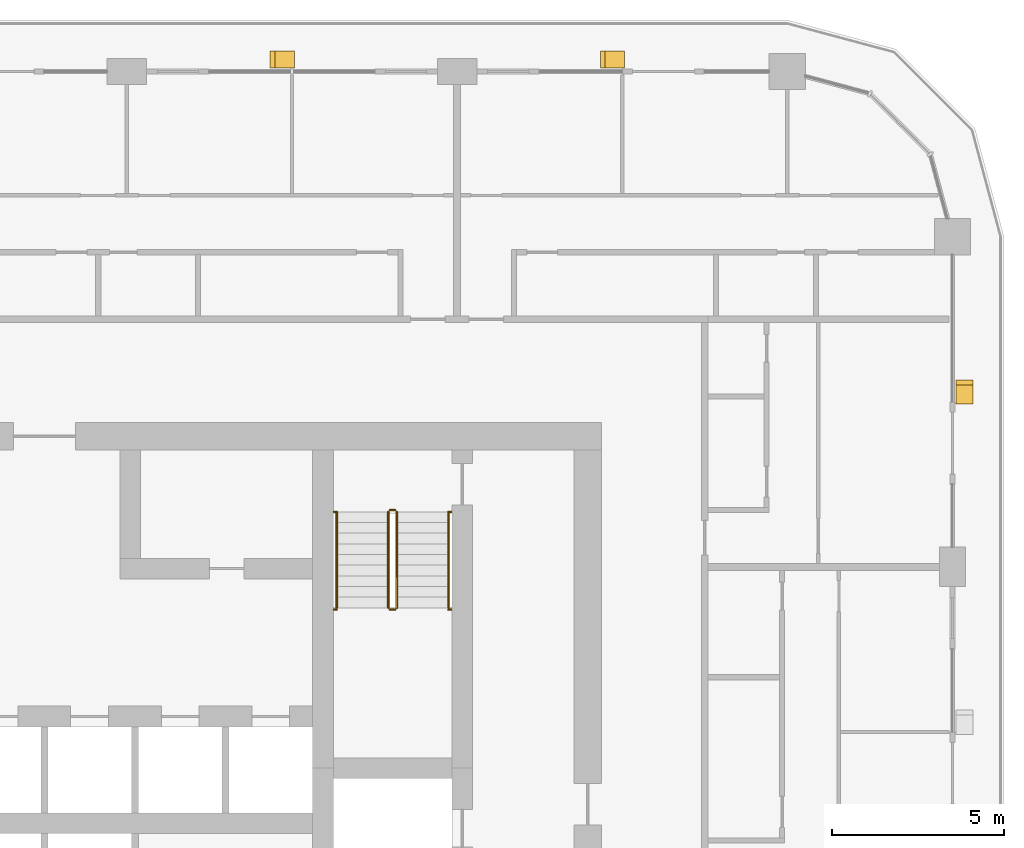
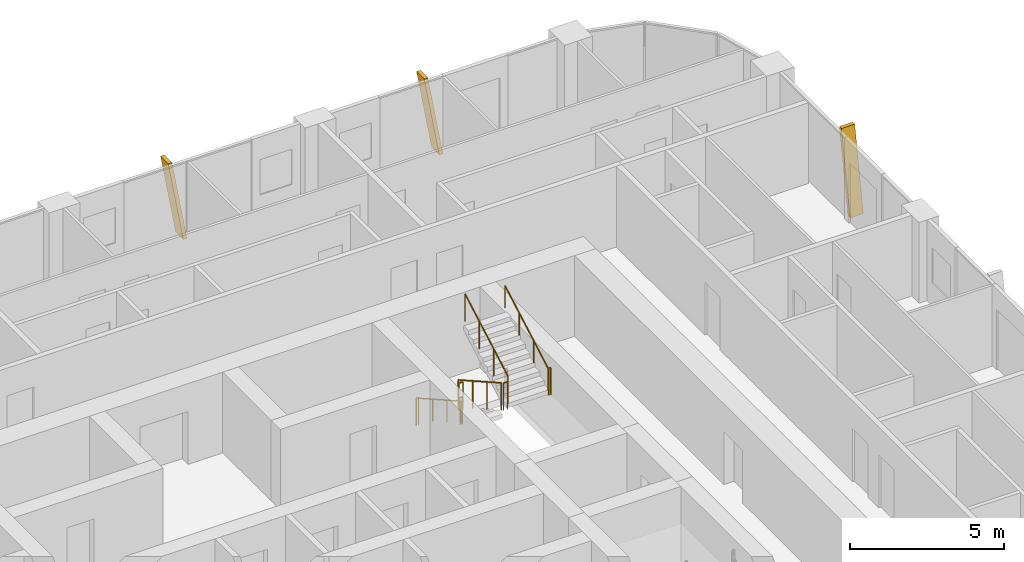
# One storey, part 22 of 22: 10 railings, 3 shading devices.
"""IFC4 building model written with IfcOpenShell, lengths in metres."""

import ifcopenshell
import ifcopenshell.guid

model = None  # the IFC model being written
_history = None  # IfcOwnerHistory: only IFC2X3 demands one
_inside = {}  # id of a spatial element -> (the spatial element, [elements in it])
_under = {}  # id of a project, library or spatial element -> (it, [spatial elements below it])
_declared = {}  # id of a project -> (the project, [libraries it declares])
_typed = {}  # id of a type object -> (the type object, [elements of that type])
_made_of = {}  # id of a material, layer set ... -> (it, [elements and type objects made of it])


def new_model(schema):
    """Start an empty IFC model of exactly this schema.

    Asked for "IFC4X3", IfcOpenShell would pick the latest addendum, in which some entities
    have other attributes; the version numbers below select the first issue.
    IFC2X3 requires an IfcOwnerHistory on every rooted entity: one is made here for all.
    """
    global model, _history
    if schema == "IFC4X3":
        model = ifcopenshell.file(schema_version=(4, 3, 0, 0))
    else:
        model = ifcopenshell.file(schema=schema)
    _inside.clear()
    _under.clear()
    _declared.clear()
    _typed.clear()
    _made_of.clear()
    _history = None
    if model.schema == "IFC2X3":
        org = make("IfcOrganization", Name="unknown")
        user = make(
            "IfcPersonAndOrganization",
            ThePerson=make("IfcPerson", FamilyName="unknown"),
            TheOrganization=org,
        )
        app = make(
            "IfcApplication",
            ApplicationDeveloper=org,
            Version="unknown",
            ApplicationFullName="unknown",
            ApplicationIdentifier="unknown",
        )
        _history = make(
            "IfcOwnerHistory",
            OwningUser=user,
            OwningApplication=app,
            ChangeAction="ADDED",
            CreationDate=0,
        )
    return model


def make(cls, **values):
    """One entity of the class cls with the attributes given. An attribute that is None is left unset."""
    return model.create_entity(
        cls, **{name: value for name, value in values.items() if value is not None}
    )


def rooted(cls, **values):
    """An entity with a GlobalId (a new one), such as an element, a storey or a relation."""
    return make(cls, GlobalId=ifcopenshell.guid.new(), OwnerHistory=_history, **values)


def si_unit(unit_type, name, prefix=None):
    """IfcSIUnit, for example si_unit("LENGTHUNIT", "METRE", prefix="MILLI")."""
    return make("IfcSIUnit", UnitType=unit_type, Prefix=prefix, Name=name)


def assignment(units):
    """IfcUnitAssignment: the units of a project."""
    return None if units is None else make("IfcUnitAssignment", Units=units)


def point(xyz):
    """IfcCartesianPoint."""
    return None if xyz is None else make("IfcCartesianPoint", Coordinates=xyz)


def direction(xyz):
    """IfcDirection."""
    return None if xyz is None else make("IfcDirection", DirectionRatios=xyz)


def frame(location, z_axis=None, x_axis=None):
    """IfcAxis2Placement3D, a coordinate frame: its origin and axes. An axis left out is left unset."""
    return make(
        "IfcAxis2Placement3D",
        Location=point(location),
        Axis=direction(z_axis),
        RefDirection=direction(x_axis),
    )


def frame_2d(location, x_axis=None):
    """IfcAxis2Placement2D, a coordinate frame in the plane: its origin and x axis."""
    return make(
        "IfcAxis2Placement2D", Location=point(location), RefDirection=direction(x_axis)
    )


def origin():
    """The frame at (0, 0, 0) with its axes left unset."""
    return frame((0.0, 0.0, 0.0))


def origin_2d():
    """The frame at (0, 0) in the plane with its x axis left unset."""
    return frame_2d((0.0, 0.0))


def place(relative_to, where):
    """IfcLocalPlacement: puts the frame where relative to a parent placement (None: the world)."""
    return make(
        "IfcLocalPlacement", PlacementRelTo=relative_to, RelativePlacement=where
    )


def context(
    kind, dimensions, precision=None, world=None, true_north=None, identifier=None
):
    """IfcGeometricRepresentationContext, for example the 3D "Model" context."""
    return make(
        "IfcGeometricRepresentationContext",
        ContextIdentifier=identifier,
        ContextType=kind,
        CoordinateSpaceDimension=dimensions,
        Precision=precision,
        WorldCoordinateSystem=world,
        TrueNorth=true_north,
    )


def subcontext(parent, identifier, kind, view, scale=None):
    """IfcGeometricRepresentationSubContext, for example "Body" below "Model"."""
    return make(
        "IfcGeometricRepresentationSubContext",
        ContextIdentifier=identifier,
        ContextType=kind,
        ParentContext=parent,
        TargetScale=scale,
        TargetView=view,
    )


def project(units=None, contexts=None):
    """IfcProject with its units and contexts."""
    return rooted(
        "IfcProject",
        Name="project",
        RepresentationContexts=contexts,
        UnitsInContext=assignment(units),
    )


def spatial(cls, under=None, at=None, **own):
    """A site, building, storey or space (cls), placed at a placement, below another one or the project."""
    s = rooted(cls, ObjectPlacement=at, **own)
    if under is not None:
        _under.setdefault(under.id(), (under, []))[1].append(s)
    return s


def polyline(points):
    """IfcPolyline through the points."""
    return make("IfcPolyline", Points=[point(p) for p in points])


def profile(cls, at=None, kind="AREA", **sizes):
    """A parametric profile (cls). Its sizes go by their IFC names, for example OverallWidth=200.0."""
    return make(cls, ProfileType=kind, Position=at, **sizes)


def circle(**sizes):
    """IfcCircleProfileDef."""
    return profile("IfcCircleProfileDef", **sizes)


def outline(outer, holes=None, kind="AREA"):
    """IfcArbitraryClosedProfileDef: a profile drawn as a closed curve; with holes, ...WithVoids."""
    if holes is None:
        return make("IfcArbitraryClosedProfileDef", ProfileType=kind, OuterCurve=outer)
    return make(
        "IfcArbitraryProfileDefWithVoids",
        ProfileType=kind,
        OuterCurve=outer,
        InnerCurves=holes,
    )


def extrude(swept, where, along, depth):
    """IfcExtrudedAreaSolid: the profile swept, set in the frame where, extruded along a direction by depth."""
    return make(
        "IfcExtrudedAreaSolid",
        SweptArea=swept,
        Position=where,
        ExtrudedDirection=direction(along),
        Depth=depth,
    )


def shape(context_of_items, identifier, shape_type, items):
    """IfcShapeRepresentation: the items that make up one representation, for example the "Body"."""
    return make(
        "IfcShapeRepresentation",
        ContextOfItems=context_of_items,
        RepresentationIdentifier=identifier,
        RepresentationType=shape_type,
        Items=items,
    )


def material(Name=None, Category=None):
    """IfcMaterial."""
    return make("IfcMaterial", Name=Name, Category=Category)


def made_of(thing, what):
    """Note that an element or type object is made of a material, layer set ...; save() writes the relation."""
    if what is not None:
        _made_of.setdefault(what.id(), (what, []))[1].append(thing)
    return thing


def type_object(cls, material=None, **own):
    """A type object (cls), such as IfcWallType, which elements share."""
    return made_of(rooted(cls, **own), material)


def element(
    cls,
    number,
    at=None,
    inside=None,
    cuts=None,
    type_object=None,
    material=None,
    context=None,
    identifier="Body",
    shape_type=None,
    held_by="IfcProductDefinitionShape",
    body=None,
    shapes=None,
    **own,
):
    """One element of the class cls, such as IfcWall. Its Tag is "e" and its number.

    at: its placement. inside: the storey or other place that contains it. cuts: it is an
    opening in that element (IfcRelVoidsElement). A single representation is given by context,
    identifier, shape_type and body (its items); several are given by shapes. held_by: the class
    of the entity that holds the representations. save() writes the other relations.
    """
    e = rooted(cls, Tag="e%d" % number, ObjectPlacement=at, **own)
    if body is not None:
        shapes = [shape(context, identifier, shape_type, body)]
    if shapes is not None:
        e.Representation = make(held_by, Representations=shapes)
    if inside is not None:
        _inside.setdefault(inside.id(), (inside, []))[1].append(e)
    if cuts is not None:
        rooted(
            "IfcRelVoidsElement", RelatingBuildingElement=cuts, RelatedOpeningElement=e
        )
    if type_object is not None:
        _typed.setdefault(type_object.id(), (type_object, []))[1].append(e)
    return made_of(e, material)


def aggregate(whole, parts):
    """IfcRelAggregates: a whole, such as a stair, and the parts it consists of."""
    return rooted("IfcRelAggregates", RelatingObject=whole, RelatedObjects=parts)


def save(model, path):
    """Write the relations noted so far, then the file.

    IfcRelAggregates (storeys below a building ...), IfcRelContainedInSpatialStructure (elements
    in a storey), IfcRelDefinesByType, IfcRelAssociatesMaterial and IfcRelDeclares: one each for
    every whole, place, type object, material and project.
    """
    for whole, parts in _under.values():
        aggregate(whole, parts)
    for where, things in _inside.values():
        rooted(
            "IfcRelContainedInSpatialStructure",
            RelatedElements=things,
            RelatingStructure=where,
        )
    for kind, things in _typed.values():
        rooted("IfcRelDefinesByType", RelatedObjects=things, RelatingType=kind)
    for what, things in _made_of.values():
        rooted("IfcRelAssociatesMaterial", RelatedObjects=things, RelatingMaterial=what)
    for by, libraries in _declared.values():
        rooted("IfcRelDeclares", RelatingContext=by, RelatedDefinitions=libraries)
    model.write(path)


model = new_model("IFC4")

# Units and contexts
model_context = context("Model", 3, precision=1e-05, world=origin(), true_north=direction((0.0, 1.0)))
body_context = subcontext(model_context, "Body", "Model", "MODEL_VIEW")
ifc_project = project(units=[si_unit("LENGTHUNIT", "METRE"), si_unit("AREAUNIT", "SQUARE_METRE"), si_unit("VOLUMEUNIT", "CUBIC_METRE"), si_unit("PLANEANGLEUNIT", "RADIAN"), si_unit("MASSUNIT", "GRAM", prefix="KILO")], contexts=[model_context])

# Site, building, storey
site_placement = place(None, origin())
site = spatial("IfcSite", under=ifc_project, at=site_placement, CompositionType="ELEMENT")
building_placement = place(site_placement, origin())
building = spatial("IfcBuilding", under=site, at=building_placement, Name="Madar Terraces", CompositionType="ELEMENT")
storey_placement = place(building_placement, frame((0.0, 0.0, 152.5)))
storey = spatial("IfcBuildingStorey", under=building, at=storey_placement, Name="L39", CompositionType="ELEMENT", Elevation=152.5)

# Shading devices
ifc_material_1 = material(Name="Aluminium, black anodised", Category="aluminium")
shading_device_type = type_object("IfcShadingDeviceType", Name="Facade fin blade 140 x 500", PredefinedType="USERDEFINED", material=ifc_material_1)
shading_device_1_placement = place(storey_placement, frame((57.949951171875, 38.330078125, 0.0), z_axis=(0.0, 0.0, 1.0), x_axis=(0.0, 1.0, 0.0)))
element("IfcShadingDevice", 1, at=shading_device_1_placement, inside=storey, type_object=shading_device_type, Name="FIN L39 E4", ObjectType="FIN", PredefinedType="USERDEFINED", context=body_context, shape_type="SweptSolid", body=[
    extrude(outline(polyline([(0.0, 0.0), (0.139892578125, 0.0), (0.704345703125, 3.199951171875), (0.564208984375, 3.199951171875), (0.0, 0.0)])), frame((0.0, 0.25, 0.0), z_axis=(0.0, -1.0, 0.0), x_axis=(1.0, 0.0, 0.0)), (0.0, 0.0, 1.0), 0.5),
])
shading_device_2_placement = place(storey_placement, frame((48.070068359375, 48.35009765625, 0.0), z_axis=(0.0, 0.0, 1.0), x_axis=(-1.0, 0.0, 0.0)))
element("IfcShadingDevice", 2, at=shading_device_2_placement, inside=storey, type_object=shading_device_type, Name="FIN L39 N1", ObjectType="FIN", PredefinedType="USERDEFINED", context=body_context, shape_type="SweptSolid", body=[
    extrude(outline(polyline([(0.0, 0.0), (0.14013671875, 0.0), (0.704345703125, 3.199951171875), (0.564208984375, 3.199951171875), (0.0, 0.0)])), frame((0.0, 0.25, 0.0), z_axis=(0.0, -1.0, 0.0), x_axis=(1.0, 0.0, 0.0)), (0.0, 0.0, 1.0), 0.5),
])
shading_device_3_placement = place(storey_placement, frame((38.469970703125, 48.35009765625, 0.0), z_axis=(0.0, 0.0, 1.0), x_axis=(-1.0, 0.0, 0.0)))
element("IfcShadingDevice", 3, at=shading_device_3_placement, inside=storey, type_object=shading_device_type, Name="FIN L39 N2", ObjectType="FIN", PredefinedType="USERDEFINED", context=body_context, shape_type="SweptSolid", body=[
    extrude(outline(polyline([(0.0, 0.0), (0.139892578125, 0.0), (0.704345703125, 3.199951171875), (0.564208984375, 3.199951171875), (0.0, 0.0)])), frame((0.0, 0.25, 0.0), z_axis=(0.0, -1.0, 0.0), x_axis=(1.0, 0.0, 0.0)), (0.0, 0.0, 1.0), 0.5),
])

# Railings
ifc_material_2 = material(Name="Stainless steel railing", Category="steel")
railing_type_1 = type_object("IfcRailingType", Name="Stair guard 1100", PredefinedType="GUARDRAIL", material=ifc_material_2)
railing_1_placement = place(storey_placement, frame((41.199951171875, 35.199951171875, 0.175048828125)))
element("IfcRailing", 4, at=railing_1_placement, inside=storey, type_object=railing_type_1, Name="L39 ST2 stair guard 1", PredefinedType="GUARDRAIL", context=body_context, shape_type="SweptSolid", body=[
    extrude(circle(Radius=0.02392578125, at=origin_2d()), frame((0.0, 0.0, 1.076171875), z_axis=(0.0, -0.870833779661, 0.491577591232), x_axis=(1.0, 0.0, 0.0)), (0.0, 0.0, 1.0), 3.203857421875),
    extrude(circle(Radius=0.02099609375, at=origin_2d()), origin(), (0.0, 0.0, 1.0), 1.052001953125),
    extrude(circle(Radius=0.02099609375, at=origin_2d()), frame((0.0, -0.929931640625, 0.52490234375)), (0.0, 0.0, 1.0), 1.052001953125),
    extrude(circle(Radius=0.02099609375, at=origin_2d()), frame((0.0, -1.860107421875, 1.050048828125)), (0.0, 0.0, 1.0), 1.052001953125),
    extrude(circle(Radius=0.02099609375, at=origin_2d()), frame((0.0, -2.7900390625, 1.574951171875)), (0.0, 0.0, 1.0), 1.052001953125),
])
railing_2_placement = place(storey_placement, frame((41.25, 32.360107421875, 1.75)))
element("IfcRailing", 5, at=railing_2_placement, inside=storey, type_object=railing_type_1, Name="L39 ST2 stair guard 2", PredefinedType="GUARDRAIL", context=body_context, shape_type="SweptSolid", body=[
    extrude(circle(Radius=0.02392578125, at=origin_2d()), frame((0.0, 0.0, 1.076171875), z_axis=(1.0, 0.0, 0.0), x_axis=(0.0, 1.0, 0.0)), (0.0, 0.0, 1.0), 0.14990234375),
    extrude(circle(Radius=0.02099609375, at=origin_2d()), origin(), (0.0, 0.0, 1.0), 1.052001953125),
    extrude(circle(Radius=0.02099609375, at=origin_2d()), frame((0.14990234375, 0.0, 0.0)), (0.0, 0.0, 1.0), 1.052001953125),
])
railing_3_placement = place(storey_placement, frame((41.449951171875, 32.409912109375, 1.925048828125)))
element("IfcRailing", 6, at=railing_3_placement, inside=storey, type_object=railing_type_1, Name="L39 ST2 stair guard 3", PredefinedType="GUARDRAIL", context=body_context, shape_type="SweptSolid", body=[
    extrude(circle(Radius=0.02392578125, at=origin_2d()), frame((0.0, 0.0, 1.076171875), z_axis=(0.0, 0.870833779661, 0.491577591232), x_axis=(-1.0, 0.0, 0.0)), (0.0, 0.0, 1.0), 3.203857421875),
    extrude(circle(Radius=0.02099609375, at=origin_2d()), origin(), (0.0, 0.0, 1.0), 1.052001953125),
    extrude(circle(Radius=0.02099609375, at=origin_2d()), frame((0.0, 0.929931640625, 0.52490234375)), (0.0, 0.0, 1.0), 1.052001953125),
    extrude(circle(Radius=0.02099609375, at=origin_2d()), frame((0.0, 1.860107421875, 1.050048828125)), (0.0, 0.0, 1.0), 1.052001953125),
    extrude(circle(Radius=0.02099609375, at=origin_2d()), frame((0.0, 2.7900390625, 1.574951171875)), (0.0, 0.0, 1.0), 1.052001953125),
])
railing_4_placement = place(storey_placement, frame((41.25, 35.25, 0.0)))
element("IfcRailing", 7, at=railing_4_placement, inside=storey, type_object=railing_type_1, Name="L39 ST2 stair guard 4", PredefinedType="GUARDRAIL", context=body_context, shape_type="SweptSolid", body=[
    extrude(circle(Radius=0.02392578125, at=origin_2d()), frame((0.0, 0.0, 1.076171875), z_axis=(1.0, 0.0, 0.0), x_axis=(0.0, 1.0, 0.0)), (0.0, 0.0, 1.0), 0.14990234375),
    extrude(circle(Radius=0.02099609375, at=origin_2d()), origin(), (0.0, 0.0, 1.0), 1.052001953125),
    extrude(circle(Radius=0.02099609375, at=origin_2d()), frame((0.14990234375, 0.0, 0.0)), (0.0, 0.0, 1.0), 1.052001953125),
])
railing_5_placement = place(storey_placement, frame((39.6201171875, 32.360107421875, 1.75)))
element("IfcRailing", 8, at=railing_5_placement, inside=storey, type_object=railing_type_1, Name="L39 stair guard seat 1", PredefinedType="GUARDRAIL", context=body_context, shape_type="SweptSolid", body=[
    extrude(circle(Radius=0.02392578125, at=origin_2d()), frame((0.0, 0.0, 1.076171875), z_axis=(1.0, 0.0, 0.0), x_axis=(0.0, 1.0, 0.0)), (0.0, 0.0, 1.0), 0.079833984375),
    extrude(circle(Radius=0.02099609375, at=origin_2d()), origin(), (0.0, 0.0, 1.0), 1.052001953125),
    extrude(circle(Radius=0.02099609375, at=origin_2d()), frame((0.079833984375, 0.0, 0.0)), (0.0, 0.0, 1.0), 1.052001953125),
])
railing_6_placement = place(storey_placement, frame((42.949951171875, 32.360107421875, 1.75)))
element("IfcRailing", 9, at=railing_6_placement, inside=storey, type_object=railing_type_1, Name="L39 stair guard seat 2", PredefinedType="GUARDRAIL", context=body_context, shape_type="SweptSolid", body=[
    extrude(circle(Radius=0.02392578125, at=origin_2d()), frame((0.0, 0.0, 1.076171875), z_axis=(1.0, 0.0, 0.0), x_axis=(0.0, 1.0, 0.0)), (0.0, 0.0, 1.0), 0.080078125),
    extrude(circle(Radius=0.02099609375, at=origin_2d()), origin(), (0.0, 0.0, 1.0), 1.052001953125),
    extrude(circle(Radius=0.02099609375, at=origin_2d()), frame((0.080078125, 0.0, 0.0)), (0.0, 0.0, 1.0), 1.052001953125),
])
railing_7_placement = place(storey_placement, frame((39.6201171875, 35.199951171875, 0.0)))
element("IfcRailing", 10, at=railing_7_placement, inside=storey, type_object=railing_type_1, Name="L39 stair guard floor 1", PredefinedType="GUARDRAIL", context=body_context, shape_type="SweptSolid", body=[
    extrude(circle(Radius=0.02392578125, at=origin_2d()), frame((0.0, 0.0, 1.076171875), z_axis=(1.0, 0.0, 0.0), x_axis=(0.0, 1.0, 0.0)), (0.0, 0.0, 1.0), 0.079833984375),
    extrude(circle(Radius=0.02099609375, at=origin_2d()), origin(), (0.0, 0.0, 1.0), 1.052001953125),
    extrude(circle(Radius=0.02099609375, at=origin_2d()), frame((0.079833984375, 0.0, 0.0)), (0.0, 0.0, 1.0), 1.052001953125),
])
railing_8_placement = place(storey_placement, frame((42.949951171875, 35.199951171875, 0.0)))
element("IfcRailing", 11, at=railing_8_placement, inside=storey, type_object=railing_type_1, Name="L39 stair guard floor 2", PredefinedType="GUARDRAIL", context=body_context, shape_type="SweptSolid", body=[
    extrude(circle(Radius=0.02392578125, at=origin_2d()), frame((0.0, 0.0, 1.076171875), z_axis=(1.0, 0.0, 0.0), x_axis=(0.0, 1.0, 0.0)), (0.0, 0.0, 1.0), 0.080078125),
    extrude(circle(Radius=0.02099609375, at=origin_2d()), origin(), (0.0, 0.0, 1.0), 1.052001953125),
    extrude(circle(Radius=0.02099609375, at=origin_2d()), frame((0.080078125, 0.0, 0.0)), (0.0, 0.0, 1.0), 1.052001953125),
])
ifc_material_3 = material(Name="Stainless steel railing", Category="steel")
railing_type_2 = type_object("IfcRailingType", Name="Stair handrail 900", PredefinedType="HANDRAIL", material=ifc_material_3)
railing_9_placement = place(storey_placement, frame((39.699951171875, 35.199951171875, 0.175048828125)))
element("IfcRailing", 12, at=railing_9_placement, inside=storey, type_object=railing_type_2, Name="L39 ST2 stair handrail 1", PredefinedType="HANDRAIL", context=body_context, shape_type="SweptSolid", body=[
    extrude(circle(Radius=0.02392578125, at=origin_2d()), frame((0.0, 0.0, 0.8759765625), z_axis=(0.0, -0.870833779661, 0.491577591232), x_axis=(1.0, 0.0, 0.0)), (0.0, 0.0, 1.0), 3.203857421875),
    extrude(circle(Radius=0.02099609375, at=origin_2d()), origin(), (0.0, 0.0, 1.0), 0.851806640625),
    extrude(circle(Radius=0.02099609375, at=origin_2d()), frame((0.0, -0.929931640625, 0.52490234375)), (0.0, 0.0, 1.0), 0.851806640625),
    extrude(circle(Radius=0.02099609375, at=origin_2d()), frame((0.0, -1.860107421875, 1.050048828125)), (0.0, 0.0, 1.0), 0.851806640625),
    extrude(circle(Radius=0.02099609375, at=origin_2d()), frame((0.0, -2.7900390625, 1.574951171875)), (0.0, 0.0, 1.0), 0.851806640625),
])
railing_10_placement = place(storey_placement, frame((42.949951171875, 32.409912109375, 1.925048828125)))
element("IfcRailing", 13, at=railing_10_placement, inside=storey, type_object=railing_type_2, Name="L39 ST2 stair handrail 2", PredefinedType="HANDRAIL", context=body_context, shape_type="SweptSolid", body=[
    extrude(circle(Radius=0.02392578125, at=origin_2d()), frame((0.0, 0.0, 0.8759765625), z_axis=(0.0, 0.870833779661, 0.491577591232), x_axis=(-1.0, 0.0, 0.0)), (0.0, 0.0, 1.0), 3.203857421875),
    extrude(circle(Radius=0.02099609375, at=origin_2d()), origin(), (0.0, 0.0, 1.0), 0.851806640625),
    extrude(circle(Radius=0.02099609375, at=origin_2d()), frame((0.0, 0.929931640625, 0.52490234375)), (0.0, 0.0, 1.0), 0.851806640625),
    extrude(circle(Radius=0.02099609375, at=origin_2d()), frame((0.0, 1.860107421875, 1.050048828125)), (0.0, 0.0, 1.0), 0.851806640625),
    extrude(circle(Radius=0.02099609375, at=origin_2d()), frame((0.0, 2.7900390625, 1.574951171875)), (0.0, 0.0, 1.0), 0.851806640625),
])

save(model, "model.ifc")
